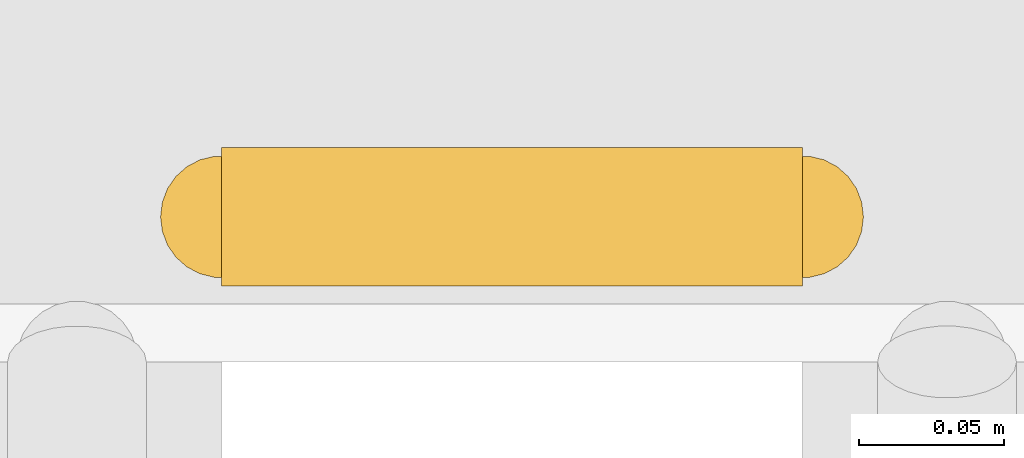
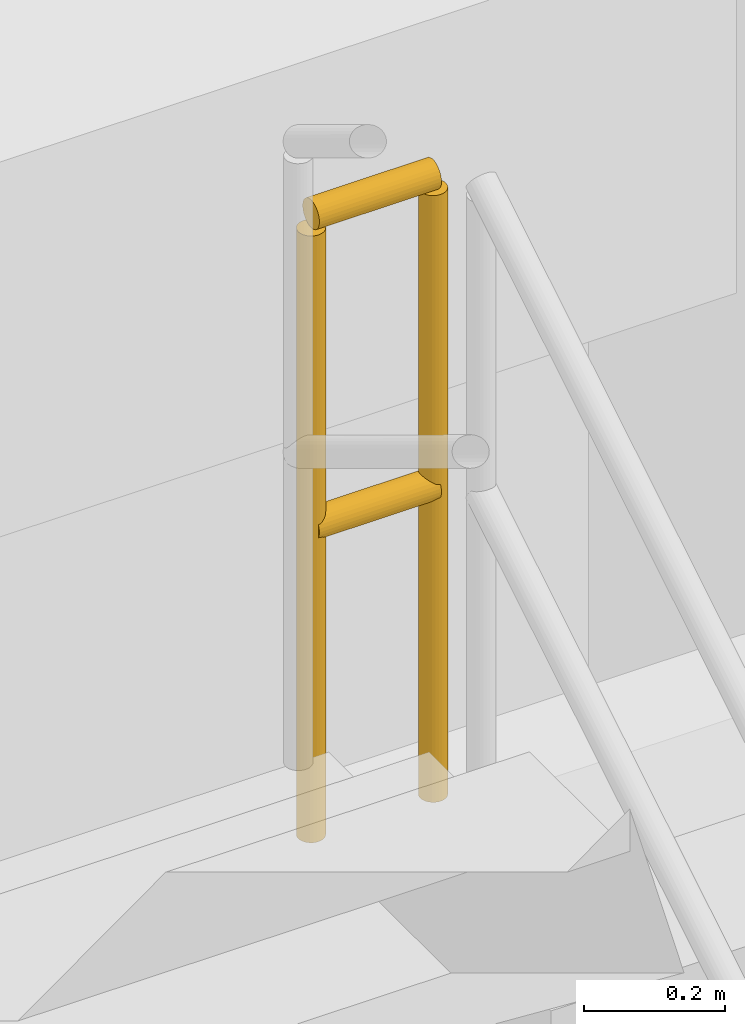
# One storey, part 33 of 34: 1 railing.
"""IFC4 building model written with IfcOpenShell, lengths in metres."""

from ifc_helpers import new_model, si_unit, direction, frame, origin, origin_2d, place, context, subcontext, project, spatial, circle, extrude, material, type_object, element, save


model = new_model("IFC4")

# Units and contexts
model_context = context("Model", 3, precision=1e-05, world=origin(), true_north=direction((0.0, 1.0)))
body_context = subcontext(model_context, "Body", "Model", "MODEL_VIEW")
ifc_project = project(units=[si_unit("LENGTHUNIT", "METRE"), si_unit("AREAUNIT", "SQUARE_METRE"), si_unit("VOLUMEUNIT", "CUBIC_METRE"), si_unit("PLANEANGLEUNIT", "RADIAN"), si_unit("MASSUNIT", "GRAM", prefix="KILO")], contexts=[model_context])

# Site, building, storey
site_placement = place(None, origin())
site = spatial("IfcSite", under=ifc_project, at=site_placement, CompositionType="ELEMENT")
building_placement = place(site_placement, origin())
building = spatial("IfcBuilding", under=site, at=building_placement, Name="Khurvash Pelagic Aquarium", CompositionType="ELEMENT")
storey_placement = place(building_placement, frame((0.0, 0.0, 15.60009765625)))
storey = spatial("IfcBuildingStorey", under=building, at=storey_placement, Name="L03", CompositionType="ELEMENT", Elevation=15.60009765625)

# Railing
ifc_material = material(Name="Powder-coated galvanised steel S355J2", Category="steel")
railing_type = type_object("IfcRailingType", Name="GR-01", PredefinedType="GUARDRAIL", material=ifc_material)
railing_placement = place(storey_placement, frame((70.10009765625, 98.969970703125, 2.25)))
element("IfcRailing", 1, at=railing_placement, inside=storey, type_object=railing_type, Name="L03 ST-04 stair guard 2", PredefinedType="GUARDRAIL", context=body_context, shape_type="SweptSolid", body=[
    extrude(circle(Radius=0.02392578125, at=origin_2d()), frame((0.0, 0.0, 1.076171875), z_axis=(-1.0, 0.0, 0.0), x_axis=(0.0, -1.0, 0.0)), (0.0, 0.0, 1.0), 0.2001953125),
    extrude(circle(Radius=0.02392578125, at=origin_2d()), frame((0.0, 0.0, 0.5380859375), z_axis=(-1.0, 0.0, 0.0), x_axis=(0.0, -1.0, 0.0)), (0.0, 0.0, 1.0), 0.2001953125),
    extrude(circle(Radius=0.02099609375, at=origin_2d()), origin(), (0.0, 0.0, 1.0), 1.052001953125),
    extrude(circle(Radius=0.02099609375, at=origin_2d()), frame((-0.2001953125, 0.0, 0.0)), (0.0, 0.0, 1.0), 1.052001953125),
])

save(model, "model.ifc")
